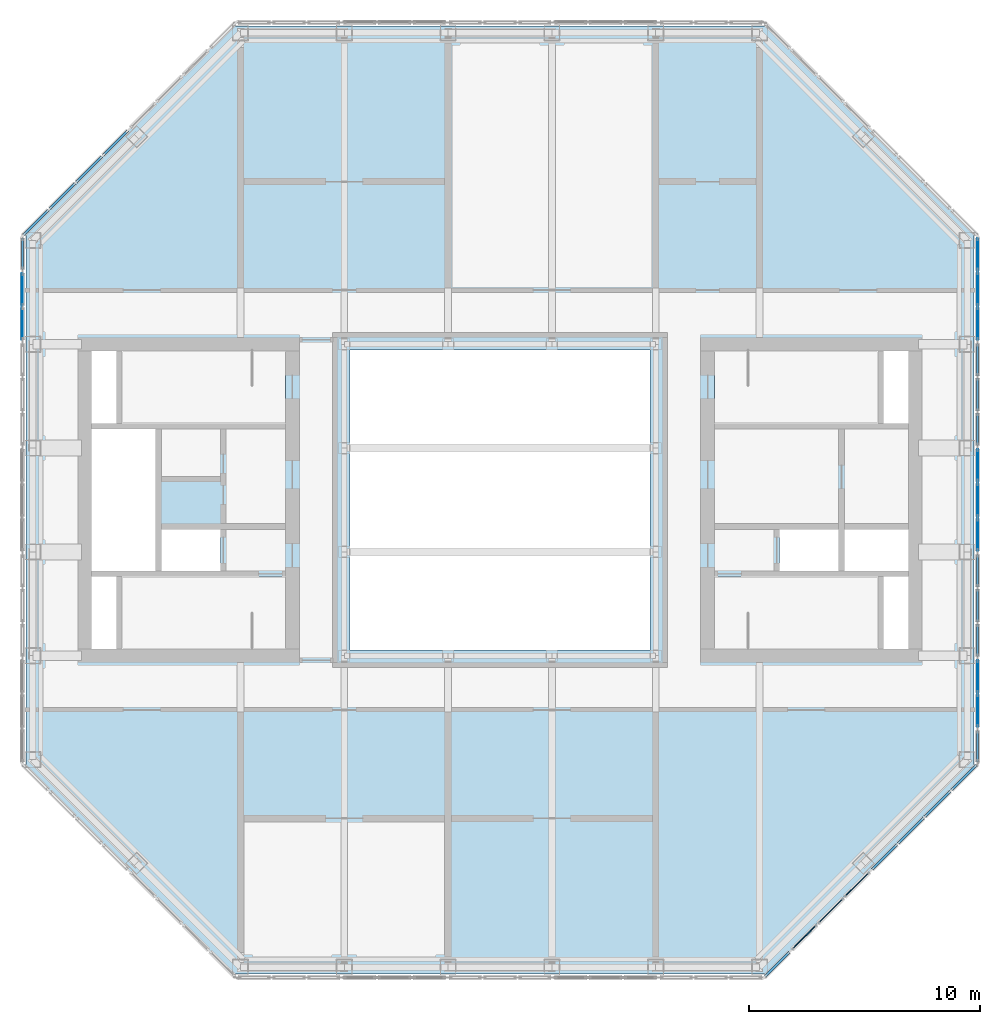
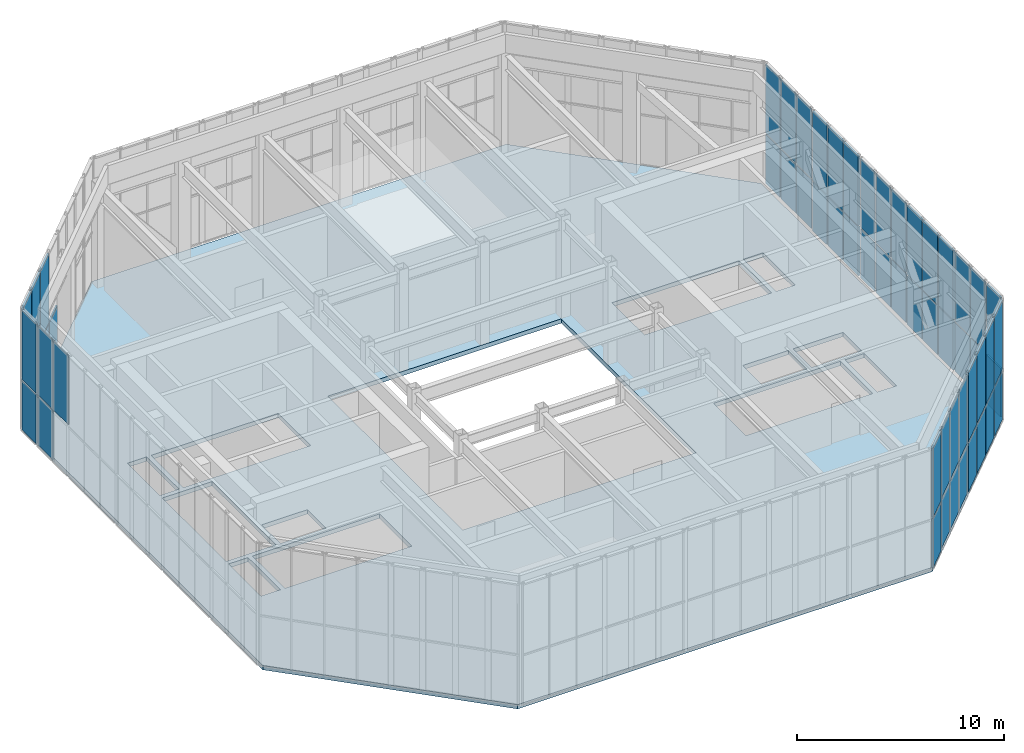
# One storey, part 11 of 15: 58 plates, 1 slab, 12 elements without a shape of their own.
"""IFC4 building model written with IfcOpenShell, lengths in metres."""

from ifc_helpers import new_model, si_unit, direction, frame, origin, origin_2d, place, context, subcontext, project, spatial, polyline, rectangle, outline, extrude, material, layer, layer_set, type_object, element, aggregate, save


model = new_model("IFC4")

# Units and contexts
model_context = context("Model", 3, precision=1e-05, world=origin(), true_north=direction((0.0, 1.0)))
body_context = subcontext(model_context, "Body", "Model", "MODEL_VIEW")
ifc_project = project(units=[si_unit("LENGTHUNIT", "METRE"), si_unit("AREAUNIT", "SQUARE_METRE"), si_unit("VOLUMEUNIT", "CUBIC_METRE"), si_unit("PLANEANGLEUNIT", "RADIAN"), si_unit("MASSUNIT", "GRAM", prefix="KILO")], contexts=[model_context])

# Site, building, storey
site_placement = place(None, origin())
site = spatial("IfcSite", under=ifc_project, at=site_placement, CompositionType="ELEMENT")
building_placement = place(site_placement, origin())
building = spatial("IfcBuilding", under=site, at=building_placement, Name="Msasa Ring Tower", CompositionType="ELEMENT")
storey_placement = place(building_placement, frame((0.0, 0.0, 268.050048828125)))
storey = spatial("IfcBuildingStorey", under=building, at=storey_placement, Name="L69", CompositionType="ELEMENT", Elevation=268.050048828125)

# Curtain wall, plates
ifc_material_1 = material(Name="Aluminium curtain wall with clear glass", Category="aluminium")
curtain_wall_type_1 = type_object("IfcCurtainWallType", Name="CW-L LANTERN CURTAIN WALL", PredefinedType="NOTDEFINED", material=ifc_material_1)
curtain_wall_1_placement = place(storey_placement, origin())
curtain_wall_1 = element("IfcCurtainWall", 1, at=curtain_wall_1_placement, inside=storey, type_object=curtain_wall_type_1, Name="Lantern curtain wall SE2 L69", PredefinedType="NOTDEFINED")
ifc_material_2 = material(Name="Clear laminated insulating glass unit", Category="glass")
ifc_layer_1 = layer(ifc_material_2, 0.0400390625)
ifc_layer_set_1 = layer_set([ifc_layer_1], Name="CW-L GLASS PANEL 40")
plate_type_1 = type_object("IfcPlateType", Name="CW-L GLASS PANEL 40", PredefinedType="CURTAIN_PANEL", material=ifc_layer_set_1)
plate_1_placement = place(storey_placement, frame((13.1875, -18.948974609375, 0.080078125), z_axis=(0.0, 0.0, 1.0), x_axis=(0.707116958684, 0.707096603542, 0.0)))
plate_1 = element("IfcPlate", 2, at=plate_1_placement, type_object=plate_type_1, Name="CW-L panel 1.1", PredefinedType="CURTAIN_PANEL", context=body_context, shape_type="SweptSolid", body=[
    extrude(rectangle(XDim=1.517578125, YDim=0.0400390625, at=origin_2d()), origin(), (0.0, 0.0, 1.0), 2.8798828125),
])
plate_2_placement = place(storey_placement, frame((13.1875, -18.948974609375, 3.039794921875), z_axis=(0.0, 0.0, 1.0), x_axis=(0.707116958684, 0.707096603542, 0.0)))
plate_2 = element("IfcPlate", 3, at=plate_2_placement, type_object=plate_type_1, Name="CW-L panel 1.2", PredefinedType="CURTAIN_PANEL", context=body_context, shape_type="SweptSolid", body=[
    extrude(rectangle(XDim=1.517578125, YDim=0.0400390625, at=origin_2d()), origin(), (0.0, 0.0, 1.0), 4.080078125),
])
plate_3_placement = place(storey_placement, frame((14.331298828125, -17.80517578125, 0.080078125), z_axis=(0.0, 0.0, 1.0), x_axis=(0.707116958684, 0.707096603542, 0.0)))
plate_3 = element("IfcPlate", 4, at=plate_3_placement, type_object=plate_type_1, Name="CW-L panel 2.1", PredefinedType="CURTAIN_PANEL", context=body_context, shape_type="SweptSolid", body=[
    extrude(rectangle(XDim=1.5576171875, YDim=0.0400390625, at=origin_2d()), origin(), (0.0, 0.0, 1.0), 2.8798828125),
])
plate_4_placement = place(storey_placement, frame((14.331298828125, -17.80517578125, 3.039794921875), z_axis=(0.0, 0.0, 1.0), x_axis=(0.707116958684, 0.707096603542, 0.0)))
plate_4 = element("IfcPlate", 5, at=plate_4_placement, type_object=plate_type_1, Name="CW-L panel 2.2", PredefinedType="CURTAIN_PANEL", context=body_context, shape_type="SweptSolid", body=[
    extrude(rectangle(XDim=1.5576171875, YDim=0.0400390625, at=origin_2d()), origin(), (0.0, 0.0, 1.0), 4.080078125),
])
plate_5_placement = place(storey_placement, frame((15.47509765625, -16.661376953125, 0.080078125), z_axis=(0.0, 0.0, 1.0), x_axis=(0.707116958684, 0.707096603542, 0.0)))
plate_5 = element("IfcPlate", 6, at=plate_5_placement, type_object=plate_type_1, Name="CW-L panel 3.1", PredefinedType="CURTAIN_PANEL", context=body_context, shape_type="SweptSolid", body=[
    extrude(rectangle(XDim=1.517578125, YDim=0.0400390625, at=origin_2d()), origin(), (0.0, 0.0, 1.0), 2.8798828125),
])
plate_6_placement = place(storey_placement, frame((15.47509765625, -16.661376953125, 3.039794921875), z_axis=(0.0, 0.0, 1.0), x_axis=(0.707116958684, 0.707096603542, 0.0)))
plate_6 = element("IfcPlate", 7, at=plate_6_placement, type_object=plate_type_1, Name="CW-L panel 3.2", PredefinedType="CURTAIN_PANEL", context=body_context, shape_type="SweptSolid", body=[
    extrude(rectangle(XDim=1.517578125, YDim=0.0400390625, at=origin_2d()), origin(), (0.0, 0.0, 1.0), 4.080078125),
])
aggregate(curtain_wall_1, [plate_1, plate_2, plate_3, plate_4, plate_5, plate_6])

curtain_wall_2_placement = place(storey_placement, origin())
curtain_wall_2 = element("IfcCurtainWall", 8, at=curtain_wall_2_placement, inside=storey, type_object=curtain_wall_type_1, Name="Lantern curtain wall E2 L69", PredefinedType="NOTDEFINED")
plate_7_placement = place(storey_placement, frame((20.699951171875, -9.129150390625, 0.080078125), z_axis=(0.0, 0.0, 1.0), x_axis=(0.0, 1.0, 0.0)))
plate_7 = element("IfcPlate", 9, at=plate_7_placement, type_object=plate_type_1, Name="CW-L panel 1.1", PredefinedType="CURTAIN_PANEL", context=body_context, shape_type="SweptSolid", body=[
    extrude(rectangle(XDim=1.40478515625, YDim=0.0400390625, at=origin_2d()), origin(), (0.0, 0.0, 1.0), 2.8798828125),
])
plate_8_placement = place(storey_placement, frame((20.699951171875, -9.129150390625, 3.039794921875), z_axis=(0.0, 0.0, 1.0), x_axis=(0.0, 1.0, 0.0)))
plate_8 = element("IfcPlate", 10, at=plate_8_placement, type_object=plate_type_1, Name="CW-L panel 1.2", PredefinedType="CURTAIN_PANEL", context=body_context, shape_type="SweptSolid", body=[
    extrude(rectangle(XDim=1.40478515625, YDim=0.0400390625, at=origin_2d()), origin(), (0.0, 0.0, 1.0), 4.080078125),
])
plate_9_placement = place(storey_placement, frame((20.699951171875, -7.644287109375, 0.080078125), z_axis=(0.0, 0.0, 1.0), x_axis=(0.0, 1.0, 0.0)))
plate_9 = element("IfcPlate", 11, at=plate_9_placement, type_object=plate_type_1, Name="CW-L panel 2.1", PredefinedType="CURTAIN_PANEL", context=body_context, shape_type="SweptSolid", body=[
    extrude(rectangle(XDim=1.40478515625, YDim=0.0400390625, at=origin_2d()), origin(), (0.0, 0.0, 1.0), 2.8798828125),
])
plate_10_placement = place(storey_placement, frame((20.699951171875, -7.644287109375, 3.039794921875), z_axis=(0.0, 0.0, 1.0), x_axis=(0.0, 1.0, 0.0)))
plate_10 = element("IfcPlate", 12, at=plate_10_placement, type_object=plate_type_1, Name="CW-L panel 2.2", PredefinedType="CURTAIN_PANEL", context=body_context, shape_type="SweptSolid", body=[
    extrude(rectangle(XDim=1.40478515625, YDim=0.0400390625, at=origin_2d()), origin(), (0.0, 0.0, 1.0), 4.080078125),
])
aggregate(curtain_wall_2, [plate_7, plate_8, plate_9, plate_10])

curtain_wall_3_placement = place(storey_placement, origin())
curtain_wall_3 = element("IfcCurtainWall", 13, at=curtain_wall_3_placement, inside=storey, type_object=curtain_wall_type_1, Name="Lantern curtain wall E4 L69", PredefinedType="NOTDEFINED")
plate_11_placement = place(storey_placement, frame((20.699951171875, -1.5048828125, 0.080078125), z_axis=(0.0, 0.0, 1.0), x_axis=(0.0, 1.0, 0.0)))
plate_11 = element("IfcPlate", 14, at=plate_11_placement, type_object=plate_type_1, Name="CW-L panel 1.1", PredefinedType="CURTAIN_PANEL", context=body_context, shape_type="SweptSolid", body=[
    extrude(rectangle(XDim=1.40478515625, YDim=0.0400390625, at=origin_2d()), origin(), (0.0, 0.0, 1.0), 2.8798828125),
])
plate_12_placement = place(storey_placement, frame((20.699951171875, -1.5048828125, 3.039794921875), z_axis=(0.0, 0.0, 1.0), x_axis=(0.0, 1.0, 0.0)))
plate_12 = element("IfcPlate", 15, at=plate_12_placement, type_object=plate_type_1, Name="CW-L panel 1.2", PredefinedType="CURTAIN_PANEL", context=body_context, shape_type="SweptSolid", body=[
    extrude(rectangle(XDim=1.40478515625, YDim=0.0400390625, at=origin_2d()), origin(), (0.0, 0.0, 1.0), 4.080078125),
])
plate_13_placement = place(storey_placement, frame((20.699951171875, 0.0, 0.080078125), z_axis=(0.0, 0.0, 1.0), x_axis=(0.0, 1.0, 0.0)))
plate_13 = element("IfcPlate", 16, at=plate_13_placement, type_object=plate_type_1, Name="CW-L panel 2.1", PredefinedType="CURTAIN_PANEL", context=body_context, shape_type="SweptSolid", body=[
    extrude(rectangle(XDim=1.44482421875, YDim=0.0400390625, at=origin_2d()), origin(), (0.0, 0.0, 1.0), 2.8798828125),
])
plate_14_placement = place(storey_placement, frame((20.699951171875, 0.0, 3.039794921875), z_axis=(0.0, 0.0, 1.0), x_axis=(0.0, 1.0, 0.0)))
plate_14 = element("IfcPlate", 17, at=plate_14_placement, type_object=plate_type_1, Name="CW-L panel 2.2", PredefinedType="CURTAIN_PANEL", context=body_context, shape_type="SweptSolid", body=[
    extrude(rectangle(XDim=1.44482421875, YDim=0.0400390625, at=origin_2d()), origin(), (0.0, 0.0, 1.0), 4.080078125),
])
plate_15_placement = place(storey_placement, frame((20.699951171875, 1.5048828125, 0.080078125), z_axis=(0.0, 0.0, 1.0), x_axis=(0.0, 1.0, 0.0)))
plate_15 = element("IfcPlate", 18, at=plate_15_placement, type_object=plate_type_1, Name="CW-L panel 3.1", PredefinedType="CURTAIN_PANEL", context=body_context, shape_type="SweptSolid", body=[
    extrude(rectangle(XDim=1.40478515625, YDim=0.0400390625, at=origin_2d()), origin(), (0.0, 0.0, 1.0), 2.8798828125),
])
plate_16_placement = place(storey_placement, frame((20.699951171875, 1.5048828125, 3.039794921875), z_axis=(0.0, 0.0, 1.0), x_axis=(0.0, 1.0, 0.0)))
plate_16 = element("IfcPlate", 19, at=plate_16_placement, type_object=plate_type_1, Name="CW-L panel 3.2", PredefinedType="CURTAIN_PANEL", context=body_context, shape_type="SweptSolid", body=[
    extrude(rectangle(XDim=1.40478515625, YDim=0.0400390625, at=origin_2d()), origin(), (0.0, 0.0, 1.0), 4.080078125),
])
aggregate(curtain_wall_3, [plate_11, plate_12, plate_13, plate_14, plate_15, plate_16])

curtain_wall_4_placement = place(storey_placement, origin())
curtain_wall_4 = element("IfcCurtainWall", 20, at=curtain_wall_4_placement, inside=storey, type_object=curtain_wall_type_1, Name="Lantern curtain wall E6 L69", PredefinedType="NOTDEFINED")
plate_17_placement = place(storey_placement, frame((20.699951171875, 7.644287109375, 0.080078125), z_axis=(0.0, 0.0, 1.0), x_axis=(0.0, 1.0, 0.0)))
plate_17 = element("IfcPlate", 21, at=plate_17_placement, type_object=plate_type_1, Name="CW-L panel 1.1", PredefinedType="CURTAIN_PANEL", context=body_context, shape_type="SweptSolid", body=[
    extrude(rectangle(XDim=1.40478515625, YDim=0.0400390625, at=origin_2d()), origin(), (0.0, 0.0, 1.0), 2.8798828125),
])
plate_18_placement = place(storey_placement, frame((20.699951171875, 7.644287109375, 3.039794921875), z_axis=(0.0, 0.0, 1.0), x_axis=(0.0, 1.0, 0.0)))
plate_18 = element("IfcPlate", 22, at=plate_18_placement, type_object=plate_type_1, Name="CW-L panel 1.2", PredefinedType="CURTAIN_PANEL", context=body_context, shape_type="SweptSolid", body=[
    extrude(rectangle(XDim=1.40478515625, YDim=0.0400390625, at=origin_2d()), origin(), (0.0, 0.0, 1.0), 4.080078125),
])
plate_19_placement = place(storey_placement, frame((20.699951171875, 9.149169921875, 0.080078125), z_axis=(0.0, 0.0, 1.0), x_axis=(0.0, 1.0, 0.0)))
plate_19 = element("IfcPlate", 23, at=plate_19_placement, type_object=plate_type_1, Name="CW-L panel 2.1", PredefinedType="CURTAIN_PANEL", context=body_context, shape_type="SweptSolid", body=[
    extrude(rectangle(XDim=1.44482421875, YDim=0.0400390625, at=origin_2d()), origin(), (0.0, 0.0, 1.0), 2.8798828125),
])
plate_20_placement = place(storey_placement, frame((20.699951171875, 9.149169921875, 3.039794921875), z_axis=(0.0, 0.0, 1.0), x_axis=(0.0, 1.0, 0.0)))
plate_20 = element("IfcPlate", 24, at=plate_20_placement, type_object=plate_type_1, Name="CW-L panel 2.2", PredefinedType="CURTAIN_PANEL", context=body_context, shape_type="SweptSolid", body=[
    extrude(rectangle(XDim=1.44482421875, YDim=0.0400390625, at=origin_2d()), origin(), (0.0, 0.0, 1.0), 4.080078125),
])
plate_21_placement = place(storey_placement, frame((20.699951171875, 10.654052734375, 0.080078125), z_axis=(0.0, 0.0, 1.0), x_axis=(0.0, 1.0, 0.0)))
plate_21 = element("IfcPlate", 25, at=plate_21_placement, type_object=plate_type_1, Name="CW-L panel 3.1", PredefinedType="CURTAIN_PANEL", context=body_context, shape_type="SweptSolid", body=[
    extrude(rectangle(XDim=1.40478515625, YDim=0.0400390625, at=origin_2d()), origin(), (0.0, 0.0, 1.0), 2.8798828125),
])
plate_22_placement = place(storey_placement, frame((20.699951171875, 10.654052734375, 3.039794921875), z_axis=(0.0, 0.0, 1.0), x_axis=(0.0, 1.0, 0.0)))
plate_22 = element("IfcPlate", 26, at=plate_22_placement, type_object=plate_type_1, Name="CW-L panel 3.2", PredefinedType="CURTAIN_PANEL", context=body_context, shape_type="SweptSolid", body=[
    extrude(rectangle(XDim=1.40478515625, YDim=0.0400390625, at=origin_2d()), origin(), (0.0, 0.0, 1.0), 4.080078125),
])
aggregate(curtain_wall_4, [plate_17, plate_18, plate_19, plate_20, plate_21, plate_22])

curtain_wall_5_placement = place(storey_placement, origin())
curtain_wall_5 = element("IfcCurtainWall", 27, at=curtain_wall_5_placement, inside=storey, type_object=curtain_wall_type_1, Name="Lantern curtain wall W2 L69", PredefinedType="NOTDEFINED")
plate_23_placement = place(storey_placement, frame((-20.699951171875, 9.129150390625, 0.080078125), z_axis=(0.0, 0.0, 1.0), x_axis=(0.0, -1.0, 0.0)))
plate_23 = element("IfcPlate", 28, at=plate_23_placement, type_object=plate_type_1, Name="CW-L panel 1.1", PredefinedType="CURTAIN_PANEL", context=body_context, shape_type="SweptSolid", body=[
    extrude(rectangle(XDim=1.40478515625, YDim=0.0400390625, at=origin_2d()), origin(), (0.0, 0.0, 1.0), 2.8798828125),
])
plate_24_placement = place(storey_placement, frame((-20.699951171875, 9.129150390625, 3.039794921875), z_axis=(0.0, 0.0, 1.0), x_axis=(0.0, -1.0, 0.0)))
plate_24 = element("IfcPlate", 29, at=plate_24_placement, type_object=plate_type_1, Name="CW-L panel 1.2", PredefinedType="CURTAIN_PANEL", context=body_context, shape_type="SweptSolid", body=[
    extrude(rectangle(XDim=1.40478515625, YDim=0.0400390625, at=origin_2d()), origin(), (0.0, 0.0, 1.0), 4.080078125),
])
plate_25_placement = place(storey_placement, frame((-20.699951171875, 7.644287109375, 3.039794921875), z_axis=(0.0, 0.0, 1.0), x_axis=(0.0, -1.0, 0.0)))
plate_25 = element("IfcPlate", 30, at=plate_25_placement, type_object=plate_type_1, Name="CW-L panel 2.2", PredefinedType="CURTAIN_PANEL", context=body_context, shape_type="SweptSolid", body=[
    extrude(rectangle(XDim=1.40478515625, YDim=0.0400390625, at=origin_2d()), origin(), (0.0, 0.0, 1.0), 4.080078125),
])
aggregate(curtain_wall_5, [plate_23, plate_24, plate_25])

ifc_material_3 = material(Name="Aluminium curtain wall with insulated terracotta-faced panels", Category="masonry")
curtain_wall_type_2 = type_object("IfcCurtainWallType", Name="CW-O OPAQUE LANTERN CURTAIN WALL", PredefinedType="NOTDEFINED", material=ifc_material_3)
curtain_wall_6_placement = place(storey_placement, origin())
curtain_wall_6 = element("IfcCurtainWall", 31, at=curtain_wall_6_placement, inside=storey, type_object=curtain_wall_type_2, Name="Lantern opaque curtain wall SE1 L69", PredefinedType="NOTDEFINED")
ifc_material_4 = material(Name="Terracotta-faced insulated panel", Category="masonry")
ifc_layer_2 = layer(ifc_material_4, 0.10009765625)
ifc_layer_set_2 = layer_set([ifc_layer_2], Name="CW-O INSULATED PANEL 100")
plate_type_2 = type_object("IfcPlateType", Name="CW-O INSULATED PANEL 100", PredefinedType="CURTAIN_PANEL", material=ifc_layer_set_2)
plate_26_placement = place(storey_placement, frame((12.015380859375, -20.12109375, 0.080078125), z_axis=(0.0, 0.0, 1.0), x_axis=(0.707076247826, 0.707137313228, 0.0)))
plate_26 = element("IfcPlate", 32, at=plate_26_placement, type_object=plate_type_2, Name="CW-O panel 1.1", PredefinedType="CURTAIN_PANEL", context=body_context, shape_type="SweptSolid", body=[
    extrude(rectangle(XDim=1.4775390625, YDim=0.10009765625, at=origin_2d()), origin(), (0.0, 0.0, 1.0), 2.8798828125),
])
plate_27_placement = place(storey_placement, frame((12.015380859375, -20.12109375, 3.039794921875), z_axis=(0.0, 0.0, 1.0), x_axis=(0.707076247826, 0.707137313228, 0.0)))
plate_27 = element("IfcPlate", 33, at=plate_27_placement, type_object=plate_type_2, Name="CW-O panel 1.2", PredefinedType="CURTAIN_PANEL", context=body_context, shape_type="SweptSolid", body=[
    extrude(rectangle(XDim=1.4775390625, YDim=0.10009765625, at=origin_2d()), origin(), (0.0, 0.0, 1.0), 4.080078125),
])
aggregate(curtain_wall_6, [plate_26, plate_27])

curtain_wall_7_placement = place(storey_placement, origin())
curtain_wall_7 = element("IfcCurtainWall", 34, at=curtain_wall_7_placement, inside=storey, type_object=curtain_wall_type_2, Name="Lantern opaque curtain wall SE3 L69", PredefinedType="NOTDEFINED")
plate_28_placement = place(storey_placement, frame((16.661376953125, -15.47509765625, 0.080078125), z_axis=(0.0, 0.0, 1.0), x_axis=(0.707106781187, 0.707106781187, 0.0)))
plate_28 = element("IfcPlate", 35, at=plate_28_placement, type_object=plate_type_2, Name="CW-O panel 1.1", PredefinedType="CURTAIN_PANEL", context=body_context, shape_type="SweptSolid", body=[
    extrude(rectangle(XDim=1.517578125, YDim=0.10009765625, at=origin_2d()), origin(), (0.0, 0.0, 1.0), 2.8798828125),
])
plate_29_placement = place(storey_placement, frame((16.661376953125, -15.47509765625, 3.039794921875), z_axis=(0.0, 0.0, 1.0), x_axis=(0.707106781187, 0.707106781187, 0.0)))
plate_29 = element("IfcPlate", 36, at=plate_29_placement, type_object=plate_type_2, Name="CW-O panel 1.2", PredefinedType="CURTAIN_PANEL", context=body_context, shape_type="SweptSolid", body=[
    extrude(rectangle(XDim=1.517578125, YDim=0.10009765625, at=origin_2d()), origin(), (0.0, 0.0, 1.0), 4.080078125),
])
plate_30_placement = place(storey_placement, frame((17.80517578125, -14.331298828125, 0.080078125), z_axis=(0.0, 0.0, 1.0), x_axis=(0.707106781187, 0.707106781187, 0.0)))
plate_30 = element("IfcPlate", 37, at=plate_30_placement, type_object=plate_type_2, Name="CW-O panel 2.1", PredefinedType="CURTAIN_PANEL", context=body_context, shape_type="SweptSolid", body=[
    extrude(rectangle(XDim=1.5576171875, YDim=0.10009765625, at=origin_2d()), origin(), (0.0, 0.0, 1.0), 2.8798828125),
])
plate_31_placement = place(storey_placement, frame((17.80517578125, -14.331298828125, 3.039794921875), z_axis=(0.0, 0.0, 1.0), x_axis=(0.707106781187, 0.707106781187, 0.0)))
plate_31 = element("IfcPlate", 38, at=plate_31_placement, type_object=plate_type_2, Name="CW-O panel 2.2", PredefinedType="CURTAIN_PANEL", context=body_context, shape_type="SweptSolid", body=[
    extrude(rectangle(XDim=1.5576171875, YDim=0.10009765625, at=origin_2d()), origin(), (0.0, 0.0, 1.0), 4.080078125),
])
plate_32_placement = place(storey_placement, frame((18.963134765625, -13.17333984375, 0.080078125), z_axis=(0.0, 0.0, 1.0), x_axis=(0.707106781187, 0.707106781187, 0.0)))
plate_32 = element("IfcPlate", 39, at=plate_32_placement, type_object=plate_type_2, Name="CW-O panel 3.1", PredefinedType="CURTAIN_PANEL", context=body_context, shape_type="SweptSolid", body=[
    extrude(rectangle(XDim=1.5576171875, YDim=0.10009765625, at=origin_2d()), origin(), (0.0, 0.0, 1.0), 2.8798828125),
])
plate_33_placement = place(storey_placement, frame((18.963134765625, -13.17333984375, 3.039794921875), z_axis=(0.0, 0.0, 1.0), x_axis=(0.707106781187, 0.707106781187, 0.0)))
plate_33 = element("IfcPlate", 40, at=plate_33_placement, type_object=plate_type_2, Name="CW-O panel 3.2", PredefinedType="CURTAIN_PANEL", context=body_context, shape_type="SweptSolid", body=[
    extrude(rectangle(XDim=1.5576171875, YDim=0.10009765625, at=origin_2d()), origin(), (0.0, 0.0, 1.0), 4.080078125),
])
plate_34_placement = place(storey_placement, frame((20.10693359375, -12.029541015625, 0.080078125), z_axis=(0.0, 0.0, 1.0), x_axis=(0.707106781187, 0.707106781187, 0.0)))
plate_34 = element("IfcPlate", 41, at=plate_34_placement, type_object=plate_type_2, Name="CW-O panel 4.1", PredefinedType="CURTAIN_PANEL", context=body_context, shape_type="SweptSolid", body=[
    extrude(rectangle(XDim=1.517578125, YDim=0.10009765625, at=origin_2d()), origin(), (0.0, 0.0, 1.0), 2.8798828125),
])
plate_35_placement = place(storey_placement, frame((20.10693359375, -12.029541015625, 3.039794921875), z_axis=(0.0, 0.0, 1.0), x_axis=(0.707106781187, 0.707106781187, 0.0)))
plate_35 = element("IfcPlate", 42, at=plate_35_placement, type_object=plate_type_2, Name="CW-O panel 4.2", PredefinedType="CURTAIN_PANEL", context=body_context, shape_type="SweptSolid", body=[
    extrude(rectangle(XDim=1.517578125, YDim=0.10009765625, at=origin_2d()), origin(), (0.0, 0.0, 1.0), 4.080078125),
])
aggregate(curtain_wall_7, [plate_28, plate_29, plate_30, plate_31, plate_32, plate_33, plate_34, plate_35])

curtain_wall_8_placement = place(storey_placement, origin())
curtain_wall_8 = element("IfcCurtainWall", 43, at=curtain_wall_8_placement, inside=storey, type_object=curtain_wall_type_2, Name="Lantern opaque curtain wall E1 L69", PredefinedType="NOTDEFINED")
plate_36_placement = place(storey_placement, frame((20.699951171875, -10.673828125, 0.080078125), z_axis=(0.0, 0.0, 1.0), x_axis=(0.0, 1.0, 0.0)))
plate_36 = element("IfcPlate", 44, at=plate_36_placement, type_object=plate_type_2, Name="CW-O panel 1.1", PredefinedType="CURTAIN_PANEL", context=body_context, shape_type="SweptSolid", body=[
    extrude(rectangle(XDim=1.364990234375, YDim=0.10009765625, at=origin_2d()), origin(), (0.0, 0.0, 1.0), 2.8798828125),
])
plate_37_placement = place(storey_placement, frame((20.699951171875, -10.673828125, 3.039794921875), z_axis=(0.0, 0.0, 1.0), x_axis=(0.0, 1.0, 0.0)))
plate_37 = element("IfcPlate", 45, at=plate_37_placement, type_object=plate_type_2, Name="CW-O panel 1.2", PredefinedType="CURTAIN_PANEL", context=body_context, shape_type="SweptSolid", body=[
    extrude(rectangle(XDim=1.364990234375, YDim=0.10009765625, at=origin_2d()), origin(), (0.0, 0.0, 1.0), 4.080078125),
])
aggregate(curtain_wall_8, [plate_36, plate_37])

curtain_wall_9_placement = place(storey_placement, origin())
curtain_wall_9 = element("IfcCurtainWall", 46, at=curtain_wall_9_placement, inside=storey, type_object=curtain_wall_type_2, Name="Lantern opaque curtain wall E3 L69", PredefinedType="NOTDEFINED")
plate_38_placement = place(storey_placement, frame((20.699951171875, -6.079345703125, 0.080078125), z_axis=(0.0, 0.0, 1.0), x_axis=(0.0, 1.0, 0.0)))
plate_38 = element("IfcPlate", 47, at=plate_38_placement, type_object=plate_type_2, Name="CW-O panel 1.1", PredefinedType="CURTAIN_PANEL", context=body_context, shape_type="SweptSolid", body=[
    extrude(rectangle(XDim=1.40478515625, YDim=0.10009765625, at=origin_2d()), origin(), (0.0, 0.0, 1.0), 2.8798828125),
])
plate_39_placement = place(storey_placement, frame((20.699951171875, -6.079345703125, 3.039794921875), z_axis=(0.0, 0.0, 1.0), x_axis=(0.0, 1.0, 0.0)))
plate_39 = element("IfcPlate", 48, at=plate_39_placement, type_object=plate_type_2, Name="CW-O panel 1.2", PredefinedType="CURTAIN_PANEL", context=body_context, shape_type="SweptSolid", body=[
    extrude(rectangle(XDim=1.40478515625, YDim=0.10009765625, at=origin_2d()), origin(), (0.0, 0.0, 1.0), 4.080078125),
])
plate_40_placement = place(storey_placement, frame((20.699951171875, -4.574462890625, 0.080078125), z_axis=(0.0, 0.0, 1.0), x_axis=(0.0, 1.0, 0.0)))
plate_40 = element("IfcPlate", 49, at=plate_40_placement, type_object=plate_type_2, Name="CW-O panel 2.1", PredefinedType="CURTAIN_PANEL", context=body_context, shape_type="SweptSolid", body=[
    extrude(rectangle(XDim=1.44482421875, YDim=0.10009765625, at=origin_2d()), origin(), (0.0, 0.0, 1.0), 2.8798828125),
])
plate_41_placement = place(storey_placement, frame((20.699951171875, -4.574462890625, 3.039794921875), z_axis=(0.0, 0.0, 1.0), x_axis=(0.0, 1.0, 0.0)))
plate_41 = element("IfcPlate", 50, at=plate_41_placement, type_object=plate_type_2, Name="CW-O panel 2.2", PredefinedType="CURTAIN_PANEL", context=body_context, shape_type="SweptSolid", body=[
    extrude(rectangle(XDim=1.44482421875, YDim=0.10009765625, at=origin_2d()), origin(), (0.0, 0.0, 1.0), 4.080078125),
])
plate_42_placement = place(storey_placement, frame((20.699951171875, -3.06982421875, 0.080078125), z_axis=(0.0, 0.0, 1.0), x_axis=(0.0, 1.0, 0.0)))
plate_42 = element("IfcPlate", 51, at=plate_42_placement, type_object=plate_type_2, Name="CW-O panel 3.1", PredefinedType="CURTAIN_PANEL", context=body_context, shape_type="SweptSolid", body=[
    extrude(rectangle(XDim=1.40478515625, YDim=0.10009765625, at=origin_2d()), origin(), (0.0, 0.0, 1.0), 2.8798828125),
])
plate_43_placement = place(storey_placement, frame((20.699951171875, -3.06982421875, 3.039794921875), z_axis=(0.0, 0.0, 1.0), x_axis=(0.0, 1.0, 0.0)))
plate_43 = element("IfcPlate", 52, at=plate_43_placement, type_object=plate_type_2, Name="CW-O panel 3.2", PredefinedType="CURTAIN_PANEL", context=body_context, shape_type="SweptSolid", body=[
    extrude(rectangle(XDim=1.40478515625, YDim=0.10009765625, at=origin_2d()), origin(), (0.0, 0.0, 1.0), 4.080078125),
])
aggregate(curtain_wall_9, [plate_38, plate_39, plate_40, plate_41, plate_42, plate_43])

curtain_wall_10_placement = place(storey_placement, origin())
curtain_wall_10 = element("IfcCurtainWall", 53, at=curtain_wall_10_placement, inside=storey, type_object=curtain_wall_type_2, Name="Lantern opaque curtain wall E5 L69", PredefinedType="NOTDEFINED")
plate_44_placement = place(storey_placement, frame((20.699951171875, 3.06982421875, 0.080078125), z_axis=(0.0, 0.0, 1.0), x_axis=(0.0, 1.0, 0.0)))
plate_44 = element("IfcPlate", 54, at=plate_44_placement, type_object=plate_type_2, Name="CW-O panel 1.1", PredefinedType="CURTAIN_PANEL", context=body_context, shape_type="SweptSolid", body=[
    extrude(rectangle(XDim=1.40478515625, YDim=0.10009765625, at=origin_2d()), origin(), (0.0, 0.0, 1.0), 2.8798828125),
])
plate_45_placement = place(storey_placement, frame((20.699951171875, 3.06982421875, 3.039794921875), z_axis=(0.0, 0.0, 1.0), x_axis=(0.0, 1.0, 0.0)))
plate_45 = element("IfcPlate", 55, at=plate_45_placement, type_object=plate_type_2, Name="CW-O panel 1.2", PredefinedType="CURTAIN_PANEL", context=body_context, shape_type="SweptSolid", body=[
    extrude(rectangle(XDim=1.40478515625, YDim=0.10009765625, at=origin_2d()), origin(), (0.0, 0.0, 1.0), 4.080078125),
])
plate_46_placement = place(storey_placement, frame((20.699951171875, 4.574462890625, 0.080078125), z_axis=(0.0, 0.0, 1.0), x_axis=(0.0, 1.0, 0.0)))
plate_46 = element("IfcPlate", 56, at=plate_46_placement, type_object=plate_type_2, Name="CW-O panel 2.1", PredefinedType="CURTAIN_PANEL", context=body_context, shape_type="SweptSolid", body=[
    extrude(rectangle(XDim=1.44482421875, YDim=0.10009765625, at=origin_2d()), origin(), (0.0, 0.0, 1.0), 2.8798828125),
])
plate_47_placement = place(storey_placement, frame((20.699951171875, 4.574462890625, 3.039794921875), z_axis=(0.0, 0.0, 1.0), x_axis=(0.0, 1.0, 0.0)))
plate_47 = element("IfcPlate", 57, at=plate_47_placement, type_object=plate_type_2, Name="CW-O panel 2.2", PredefinedType="CURTAIN_PANEL", context=body_context, shape_type="SweptSolid", body=[
    extrude(rectangle(XDim=1.44482421875, YDim=0.10009765625, at=origin_2d()), origin(), (0.0, 0.0, 1.0), 4.080078125),
])
plate_48_placement = place(storey_placement, frame((20.699951171875, 6.079345703125, 0.080078125), z_axis=(0.0, 0.0, 1.0), x_axis=(0.0, 1.0, 0.0)))
plate_48 = element("IfcPlate", 58, at=plate_48_placement, type_object=plate_type_2, Name="CW-O panel 3.1", PredefinedType="CURTAIN_PANEL", context=body_context, shape_type="SweptSolid", body=[
    extrude(rectangle(XDim=1.40478515625, YDim=0.10009765625, at=origin_2d()), origin(), (0.0, 0.0, 1.0), 2.8798828125),
])
plate_49_placement = place(storey_placement, frame((20.699951171875, 6.079345703125, 3.039794921875), z_axis=(0.0, 0.0, 1.0), x_axis=(0.0, 1.0, 0.0)))
plate_49 = element("IfcPlate", 59, at=plate_49_placement, type_object=plate_type_2, Name="CW-O panel 3.2", PredefinedType="CURTAIN_PANEL", context=body_context, shape_type="SweptSolid", body=[
    extrude(rectangle(XDim=1.40478515625, YDim=0.10009765625, at=origin_2d()), origin(), (0.0, 0.0, 1.0), 4.080078125),
])
aggregate(curtain_wall_10, [plate_44, plate_45, plate_46, plate_47, plate_48, plate_49])

curtain_wall_11_placement = place(storey_placement, origin())
curtain_wall_11 = element("IfcCurtainWall", 60, at=curtain_wall_11_placement, inside=storey, type_object=curtain_wall_type_2, Name="Lantern opaque curtain wall NW3 L69", PredefinedType="NOTDEFINED")
plate_50_placement = place(storey_placement, frame((-16.661376953125, 15.47509765625, 0.080078125), z_axis=(0.0, 0.0, 1.0), x_axis=(-0.707106781187, -0.707106781187, 0.0)))
plate_50 = element("IfcPlate", 61, at=plate_50_placement, type_object=plate_type_2, Name="CW-O panel 1.1", PredefinedType="CURTAIN_PANEL", context=body_context, shape_type="SweptSolid", body=[
    extrude(rectangle(XDim=1.517578125, YDim=0.10009765625, at=origin_2d()), origin(), (0.0, 0.0, 1.0), 2.8798828125),
])
plate_51_placement = place(storey_placement, frame((-17.80517578125, 14.331298828125, 0.080078125), z_axis=(0.0, 0.0, 1.0), x_axis=(-0.707106781187, -0.707106781187, 0.0)))
plate_51 = element("IfcPlate", 62, at=plate_51_placement, type_object=plate_type_2, Name="CW-O panel 2.1", PredefinedType="CURTAIN_PANEL", context=body_context, shape_type="SweptSolid", body=[
    extrude(rectangle(XDim=1.5576171875, YDim=0.10009765625, at=origin_2d()), origin(), (0.0, 0.0, 1.0), 2.8798828125),
])
plate_52_placement = place(storey_placement, frame((-17.80517578125, 14.331298828125, 3.039794921875), z_axis=(0.0, 0.0, 1.0), x_axis=(-0.707106781187, -0.707106781187, 0.0)))
plate_52 = element("IfcPlate", 63, at=plate_52_placement, type_object=plate_type_2, Name="CW-O panel 2.2", PredefinedType="CURTAIN_PANEL", context=body_context, shape_type="SweptSolid", body=[
    extrude(rectangle(XDim=1.5576171875, YDim=0.10009765625, at=origin_2d()), origin(), (0.0, 0.0, 1.0), 4.080078125),
])
plate_53_placement = place(storey_placement, frame((-18.963134765625, 13.17333984375, 0.080078125), z_axis=(0.0, 0.0, 1.0), x_axis=(-0.707106781187, -0.707106781187, 0.0)))
plate_53 = element("IfcPlate", 64, at=plate_53_placement, type_object=plate_type_2, Name="CW-O panel 3.1", PredefinedType="CURTAIN_PANEL", context=body_context, shape_type="SweptSolid", body=[
    extrude(rectangle(XDim=1.5576171875, YDim=0.10009765625, at=origin_2d()), origin(), (0.0, 0.0, 1.0), 2.8798828125),
])
plate_54_placement = place(storey_placement, frame((-18.963134765625, 13.17333984375, 3.039794921875), z_axis=(0.0, 0.0, 1.0), x_axis=(-0.707106781187, -0.707106781187, 0.0)))
plate_54 = element("IfcPlate", 65, at=plate_54_placement, type_object=plate_type_2, Name="CW-O panel 3.2", PredefinedType="CURTAIN_PANEL", context=body_context, shape_type="SweptSolid", body=[
    extrude(rectangle(XDim=1.5576171875, YDim=0.10009765625, at=origin_2d()), origin(), (0.0, 0.0, 1.0), 4.080078125),
])
plate_55_placement = place(storey_placement, frame((-20.10693359375, 12.029541015625, 0.080078125), z_axis=(0.0, 0.0, 1.0), x_axis=(-0.707106781187, -0.707106781187, 0.0)))
plate_55 = element("IfcPlate", 66, at=plate_55_placement, type_object=plate_type_2, Name="CW-O panel 4.1", PredefinedType="CURTAIN_PANEL", context=body_context, shape_type="SweptSolid", body=[
    extrude(rectangle(XDim=1.517578125, YDim=0.10009765625, at=origin_2d()), origin(), (0.0, 0.0, 1.0), 2.8798828125),
])
plate_56_placement = place(storey_placement, frame((-20.10693359375, 12.029541015625, 3.039794921875), z_axis=(0.0, 0.0, 1.0), x_axis=(-0.707106781187, -0.707106781187, 0.0)))
plate_56 = element("IfcPlate", 67, at=plate_56_placement, type_object=plate_type_2, Name="CW-O panel 4.2", PredefinedType="CURTAIN_PANEL", context=body_context, shape_type="SweptSolid", body=[
    extrude(rectangle(XDim=1.517578125, YDim=0.10009765625, at=origin_2d()), origin(), (0.0, 0.0, 1.0), 4.080078125),
])
aggregate(curtain_wall_11, [plate_50, plate_51, plate_52, plate_53, plate_54, plate_55, plate_56])

curtain_wall_12_placement = place(storey_placement, origin())
curtain_wall_12 = element("IfcCurtainWall", 68, at=curtain_wall_12_placement, inside=storey, type_object=curtain_wall_type_2, Name="Lantern opaque curtain wall W1 L69", PredefinedType="NOTDEFINED")
plate_57_placement = place(storey_placement, frame((-20.699951171875, 10.673828125, 0.080078125), z_axis=(0.0, 0.0, 1.0), x_axis=(0.0, -1.0, 0.0)))
plate_57 = element("IfcPlate", 69, at=plate_57_placement, type_object=plate_type_2, Name="CW-O panel 1.1", PredefinedType="CURTAIN_PANEL", context=body_context, shape_type="SweptSolid", body=[
    extrude(rectangle(XDim=1.364990234375, YDim=0.10009765625, at=origin_2d()), origin(), (0.0, 0.0, 1.0), 2.8798828125),
])
plate_58_placement = place(storey_placement, frame((-20.699951171875, 10.673828125, 3.039794921875), z_axis=(0.0, 0.0, 1.0), x_axis=(0.0, -1.0, 0.0)))
plate_58 = element("IfcPlate", 70, at=plate_58_placement, type_object=plate_type_2, Name="CW-O panel 1.2", PredefinedType="CURTAIN_PANEL", context=body_context, shape_type="SweptSolid", body=[
    extrude(rectangle(XDim=1.364990234375, YDim=0.10009765625, at=origin_2d()), origin(), (0.0, 0.0, 1.0), 4.080078125),
])
aggregate(curtain_wall_12, [plate_57, plate_58])

# Slab
ifc_material_5 = material(Name="Concrete C40/50", Category="concrete")
ifc_layer_3 = layer(ifc_material_5, 0.25)
ifc_layer_set_3 = layer_set([ifc_layer_3], Name="S10 LANTERN PLANT FLOOR 250")
slab_type = type_object("IfcSlabType", Name="S10 LANTERN PLANT FLOOR 250", PredefinedType="FLOOR", material=ifc_layer_set_3)
slab_placement = place(storey_placement, frame((0.0, 0.0, -0.25)))
element("IfcSlab", 71, at=slab_placement, inside=storey, type_object=slab_type, Name="Floor slab L69", PredefinedType="FLOOR", context=body_context, shape_type="SweptSolid", body=[
    extrude(outline(polyline([(-11.550048828125, -20.550048828125), (11.550048828125, -20.550048828125), (20.550048828125, -11.550048828125), (20.550048828125, 11.550048828125), (11.550048828125, 20.550048828125), (-11.550048828125, 20.550048828125), (-20.550048828125, 11.550048828125), (-20.550048828125, -11.550048828125), (-11.550048828125, -20.550048828125)]), holes=[polyline([(-6.5, -6.5), (6.5, -6.5), (6.5, 6.5), (-6.5, 6.5), (-6.5, -6.5)]), polyline([(9.300048828125, -6.449951171875), (16.375, -6.449951171875), (16.375, -3.324951171875), (9.300048828125, -3.324951171875), (9.300048828125, -6.449951171875)]), polyline([(9.300048828125, 3.324951171875), (16.375, 3.324951171875), (16.375, 6.449951171875), (9.300048828125, 6.449951171875), (9.300048828125, 3.324951171875)]), polyline([(12.125, -3.074951171875), (14.675048828125, -3.074951171875), (14.675048828125, -1.27490234375), (12.125, -1.27490234375), (12.125, -3.074951171875)]), polyline([(16.625, -6.449951171875), (17.699951171875, -6.449951171875), (17.699951171875, -3.324951171875), (16.625, -3.324951171875), (16.625, -6.449951171875)]), polyline([(16.625, 3.324951171875), (17.699951171875, 3.324951171875), (17.699951171875, 6.449951171875), (16.625, 6.449951171875), (16.625, 3.324951171875)]), polyline([(14.925048828125, -3.074951171875), (17.699951171875, -3.074951171875), (17.699951171875, -1.27490234375), (14.925048828125, -1.27490234375), (14.925048828125, -3.074951171875)]), polyline([(-16.375, -6.449951171875), (-9.300048828125, -6.449951171875), (-9.300048828125, -3.324951171875), (-16.375, -3.324951171875), (-16.375, -6.449951171875)]), polyline([(-16.375, 3.324951171875), (-9.300048828125, 3.324951171875), (-9.300048828125, 6.449951171875), (-16.375, 6.449951171875), (-16.375, 3.324951171875)]), polyline([(-14.675048828125, -3.074951171875), (-12.125, -3.074951171875), (-12.125, -1.27490234375), (-14.675048828125, -1.27490234375), (-14.675048828125, -3.074951171875)]), polyline([(-17.699951171875, -6.449951171875), (-16.625, -6.449951171875), (-16.625, -3.324951171875), (-17.699951171875, -3.324951171875), (-17.699951171875, -6.449951171875)]), polyline([(-17.699951171875, 3.324951171875), (-16.625, 3.324951171875), (-16.625, 6.449951171875), (-17.699951171875, 6.449951171875), (-17.699951171875, 3.324951171875)]), polyline([(-17.699951171875, -3.074951171875), (-14.925048828125, -3.074951171875), (-14.925048828125, 3.074951171875), (-17.699951171875, 3.074951171875), (-17.699951171875, -3.074951171875)])]), origin(), (0.0, 0.0, 1.0), 0.25),
])

save(model, "model.ifc")
